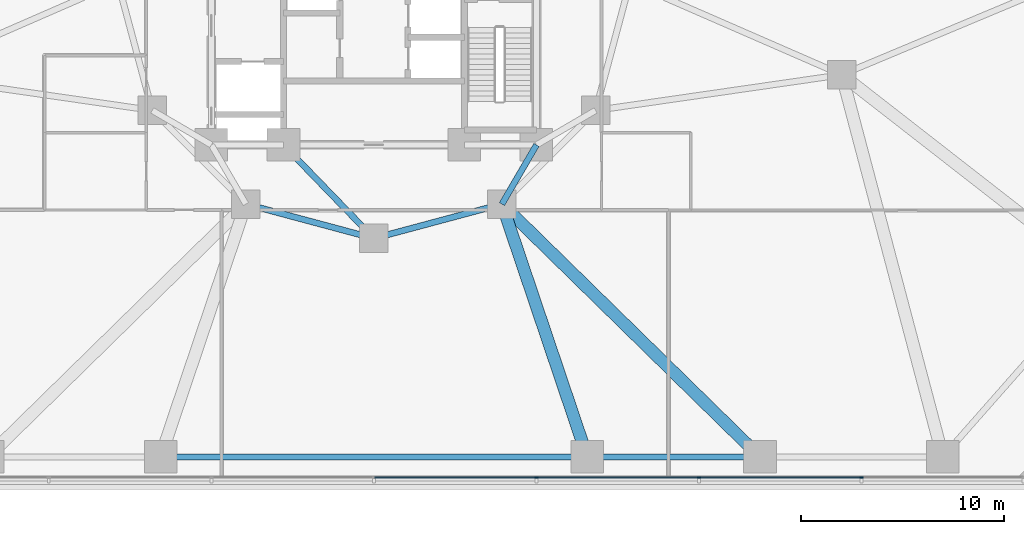
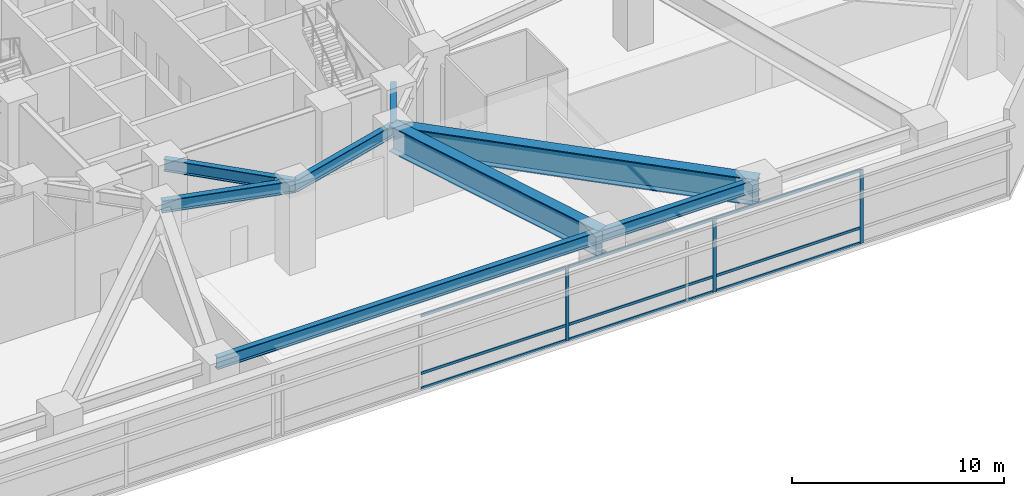
# One storey, part 7 of 27: 12 members, 8 beams, 1 element without a shape of its own.
"""IFC4 building model written with IfcOpenShell, lengths in metres."""

from ifc_helpers import new_model, si_unit, direction, frame, origin, origin_2d, place, context, subcontext, project, spatial, rectangle, i_section, extrude, material, layer, layer_set, material_profile, profile_set, type_object, element, aggregate, save


model = new_model("IFC4")

# Units and contexts
model_context = context("Model", 3, precision=1e-05, world=origin(), true_north=direction((0.0, 1.0)))
body_context = subcontext(model_context, "Body", "Model", "MODEL_VIEW")
ifc_project = project(units=[si_unit("LENGTHUNIT", "METRE"), si_unit("AREAUNIT", "SQUARE_METRE"), si_unit("VOLUMEUNIT", "CUBIC_METRE"), si_unit("PLANEANGLEUNIT", "RADIAN"), si_unit("MASSUNIT", "GRAM", prefix="KILO")], contexts=[model_context])

# Site, building, storey
site_placement = place(None, origin())
site = spatial("IfcSite", under=ifc_project, at=site_placement, CompositionType="ELEMENT")
building_placement = place(site_placement, origin())
building = spatial("IfcBuilding", under=site, at=building_placement, Name="Terralouvre Media Tower", CompositionType="ELEMENT")
storey_placement = place(building_placement, frame((0.0, 0.0, 15.60009765625)))
storey = spatial("IfcBuildingStorey", under=building, at=storey_placement, Name="L03", CompositionType="ELEMENT", Elevation=15.60009765625)

# Curtain wall, members
ifc_material_1 = material(Name="Low-iron laminated double glazing with solar-control coating", Category="glass")
ifc_layer = layer(ifc_material_1, 0.1650390625, Name="Podium Broadcast Gallery Glazing CW-01")
ifc_layer_set = layer_set([ifc_layer], Name="Low-iron laminated double glazing with solar-control coating")
curtain_wall_type = type_object("IfcCurtainWallType", Name="Podium Broadcast Gallery Glazing CW-01", PredefinedType="NOTDEFINED", material=ifc_layer_set)
curtain_wall_placement = place(storey_placement, origin())
curtain_wall = element("IfcCurtainWall", 1, at=curtain_wall_placement, inside=storey, type_object=curtain_wall_type, Name="L03 Podium Curtain Wall F0", PredefinedType="NOTDEFINED")
ifc_material_2 = material(Name="Anodised extruded aluminium 6063-T6", Category="aluminium")
ifc_material_profile_1 = material_profile(ifc_material_2, rectangle(XDim=0.074951171875, YDim=0.14990234375, at=origin_2d()), Name="ALU 75x150")
ifc_profile_set_1 = profile_set([ifc_material_profile_1], Name="Anodised extruded aluminium 6063-T6")
member_type_1 = type_object("IfcMemberType", Name="Curtain-Wall Horizontal Transom TR-150", PredefinedType="USERDEFINED", material=ifc_profile_set_1)
member_1_placement = place(storey_placement, frame((0.03759765625, -24.360107421875, 0.037353515625), z_axis=(1.0, 0.0, 0.0), x_axis=(0.0, 1.0, 0.0)))
member_1 = element("IfcMember", 2, at=member_1_placement, type_object=member_type_1, Name="CW-01 transom 5.1", ObjectType="TRANSOM", PredefinedType="USERDEFINED", context=body_context, shape_type="SweptSolid", body=[
    extrude(rectangle(XDim=0.074951171875, YDim=0.14990234375, at=origin_2d()), origin(), (0.0, 0.0, 1.0), 7.9248046875),
])
member_2_placement = place(storey_placement, frame((0.03759765625, -24.360107421875, 0.89990234375), z_axis=(1.0, 0.0, 0.0), x_axis=(0.0, 1.0, 0.0)))
member_2 = element("IfcMember", 3, at=member_2_placement, type_object=member_type_1, Name="CW-01 transom 5.2", ObjectType="TRANSOM", PredefinedType="USERDEFINED", context=body_context, shape_type="SweptSolid", body=[
    extrude(rectangle(XDim=0.074951171875, YDim=0.14990234375, at=origin_2d()), origin(), (0.0, 0.0, 1.0), 7.9248046875),
])
member_3_placement = place(storey_placement, frame((0.03759765625, -24.360107421875, 4.1923828125), z_axis=(1.0, 0.0, 0.0), x_axis=(0.0, 1.0, 0.0)))
member_3 = element("IfcMember", 4, at=member_3_placement, type_object=member_type_1, Name="CW-01 transom 5.3", ObjectType="TRANSOM", PredefinedType="USERDEFINED", context=body_context, shape_type="SweptSolid", body=[
    extrude(rectangle(XDim=0.074951171875, YDim=0.14990234375, at=origin_2d()), origin(), (0.0, 0.0, 1.0), 7.9248046875),
])
member_4_placement = place(storey_placement, frame((8.03759765625, -24.360107421875, 0.037353515625), z_axis=(1.0, 0.0, 0.0), x_axis=(0.0, 1.0, 0.0)))
member_4 = element("IfcMember", 5, at=member_4_placement, type_object=member_type_1, Name="CW-01 transom 6.1", ObjectType="TRANSOM", PredefinedType="USERDEFINED", context=body_context, shape_type="SweptSolid", body=[
    extrude(rectangle(XDim=0.074951171875, YDim=0.14990234375, at=origin_2d()), origin(), (0.0, 0.0, 1.0), 7.9248046875),
])
member_5_placement = place(storey_placement, frame((8.03759765625, -24.360107421875, 0.89990234375), z_axis=(1.0, 0.0, 0.0), x_axis=(0.0, 1.0, 0.0)))
member_5 = element("IfcMember", 6, at=member_5_placement, type_object=member_type_1, Name="CW-01 transom 6.2", ObjectType="TRANSOM", PredefinedType="USERDEFINED", context=body_context, shape_type="SweptSolid", body=[
    extrude(rectangle(XDim=0.074951171875, YDim=0.14990234375, at=origin_2d()), origin(), (0.0, 0.0, 1.0), 7.9248046875),
])
member_6_placement = place(storey_placement, frame((8.03759765625, -24.360107421875, 4.1923828125), z_axis=(1.0, 0.0, 0.0), x_axis=(0.0, 1.0, 0.0)))
member_6 = element("IfcMember", 7, at=member_6_placement, type_object=member_type_1, Name="CW-01 transom 6.3", ObjectType="TRANSOM", PredefinedType="USERDEFINED", context=body_context, shape_type="SweptSolid", body=[
    extrude(rectangle(XDim=0.074951171875, YDim=0.14990234375, at=origin_2d()), origin(), (0.0, 0.0, 1.0), 7.9248046875),
])
member_7_placement = place(storey_placement, frame((16.03759765625, -24.360107421875, 0.037353515625), z_axis=(1.0, 0.0, 0.0), x_axis=(0.0, 1.0, 0.0)))
member_7 = element("IfcMember", 8, at=member_7_placement, type_object=member_type_1, Name="CW-01 transom 7.1", ObjectType="TRANSOM", PredefinedType="USERDEFINED", context=body_context, shape_type="SweptSolid", body=[
    extrude(rectangle(XDim=0.074951171875, YDim=0.14990234375, at=origin_2d()), origin(), (0.0, 0.0, 1.0), 7.9248046875),
])
member_8_placement = place(storey_placement, frame((16.03759765625, -24.360107421875, 0.89990234375), z_axis=(1.0, 0.0, 0.0), x_axis=(0.0, 1.0, 0.0)))
member_8 = element("IfcMember", 9, at=member_8_placement, type_object=member_type_1, Name="CW-01 transom 7.2", ObjectType="TRANSOM", PredefinedType="USERDEFINED", context=body_context, shape_type="SweptSolid", body=[
    extrude(rectangle(XDim=0.074951171875, YDim=0.14990234375, at=origin_2d()), origin(), (0.0, 0.0, 1.0), 7.9248046875),
])
member_9_placement = place(storey_placement, frame((16.03759765625, -24.360107421875, 4.1923828125), z_axis=(1.0, 0.0, 0.0), x_axis=(0.0, 1.0, 0.0)))
member_9 = element("IfcMember", 10, at=member_9_placement, type_object=member_type_1, Name="CW-01 transom 7.3", ObjectType="TRANSOM", PredefinedType="USERDEFINED", context=body_context, shape_type="SweptSolid", body=[
    extrude(rectangle(XDim=0.074951171875, YDim=0.14990234375, at=origin_2d()), origin(), (0.0, 0.0, 1.0), 7.9248046875),
])
ifc_material_3 = material(Name="Anodised extruded aluminium 6063-T6", Category="aluminium")
ifc_material_profile_2 = material_profile(ifc_material_3, rectangle(XDim=0.074951171875, YDim=0.179931640625, at=origin_2d()), Name="ALU 75x180")
ifc_profile_set_2 = profile_set([ifc_material_profile_2], Name="Anodised extruded aluminium 6063-T6")
member_type_2 = type_object("IfcMemberType", Name="Curtain-Wall Vertical Mullion ML-180", PredefinedType="MULLION", material=ifc_profile_set_2)
member_10_placement = place(storey_placement, frame((8.0, -24.360107421875, 0.0), z_axis=(0.0, 0.0, 1.0), x_axis=(0.0, 1.0, 0.0)))
member_10 = element("IfcMember", 11, at=member_10_placement, type_object=member_type_2, Name="CW-01 mullion 6", PredefinedType="MULLION", context=body_context, shape_type="SweptSolid", body=[
    extrude(rectangle(XDim=0.074951171875, YDim=0.179931640625, at=origin_2d()), origin(), (0.0, 0.0, 1.0), 4.22998046875),
])
member_11_placement = place(storey_placement, frame((16.0, -24.360107421875, 0.0), z_axis=(0.0, 0.0, 1.0), x_axis=(0.0, 1.0, 0.0)))
member_11 = element("IfcMember", 12, at=member_11_placement, type_object=member_type_2, Name="CW-01 mullion 7", PredefinedType="MULLION", context=body_context, shape_type="SweptSolid", body=[
    extrude(rectangle(XDim=0.074951171875, YDim=0.179931640625, at=origin_2d()), origin(), (0.0, 0.0, 1.0), 4.22998046875),
])
member_12_placement = place(storey_placement, frame((24.0, -24.360107421875, 0.0), z_axis=(0.0, 0.0, 1.0), x_axis=(0.0, 1.0, 0.0)))
member_12 = element("IfcMember", 13, at=member_12_placement, type_object=member_type_2, Name="CW-01 mullion 8", PredefinedType="MULLION", context=body_context, shape_type="SweptSolid", body=[
    extrude(rectangle(XDim=0.074951171875, YDim=0.179931640625, at=origin_2d()), origin(), (0.0, 0.0, 1.0), 4.22998046875),
])
aggregate(curtain_wall, [member_10, member_11, member_12, member_1, member_2, member_3, member_4, member_5, member_6, member_7, member_8, member_9])

# Beams
ifc_material_4 = material(Name="Structural steel S460M", Category="steel")
ifc_material_profile_3 = material_profile(ifc_material_4, i_section(OverallWidth=0.300048828125, OverallDepth=0.699951171875, WebThickness=0.01708984375, FlangeThickness=0.031982421875, at=origin_2d()), Name="HEB 700")
ifc_profile_set_3 = profile_set([ifc_material_profile_3], Name="Structural steel S460M")
beam_type_1 = type_object("IfcBeamType", Name="Primary Floor Girder B-HEB700 (HEB 700)", PredefinedType="BEAM", material=ifc_profile_set_3)
for number, where, z_axis, x_axis, name in (
    (14, (-6.300048828125, -10.911865234375, 4.599853515625), (0.965920481897, -0.258838989821, 0.0), (0.258838989821, 0.965920481897, 0.0), "L03 Framing Beam BM-L03-MR02"),
    (15, (0.0, -12.60009765625, 4.599853515625), (0.965920481897, 0.258838989821, 0.0), (-0.258838989821, 0.965920481897, 0.0), "L03 Framing Beam BM-L03-MR03"),
):
    element("IfcBeam", number, at=place(storey_placement, frame(where, z_axis=z_axis, x_axis=x_axis)), inside=storey, type_object=beam_type_1, Name=name, PredefinedType="BEAM", context=body_context, shape_type="SweptSolid", body=[
        extrude(i_section(OverallWidth=0.300048828125, OverallDepth=0.699951171875, WebThickness=0.01708984375, FlangeThickness=0.031982421875, at=origin_2d()), origin(), (0.0, 0.0, 1.0), 6.522216796875),
    ])
beam_1_placement = place(storey_placement, frame((-4.449951171875, -8.0, 4.599853515625), z_axis=(0.695279715726, -0.718739255155, 0.0), x_axis=(0.718739255155, 0.695279715726, 0.0)))
element("IfcBeam", 16, at=beam_1_placement, inside=storey, type_object=beam_type_1, Name="L03 Framing Beam BM-L03-CM03", PredefinedType="BEAM", context=body_context, shape_type="SweptSolid", body=[
    extrude(i_section(OverallWidth=0.300048828125, OverallDepth=0.699951171875, WebThickness=0.01708984375, FlangeThickness=0.031982421875, at=origin_2d()), origin(), (0.0, 0.0, 1.0), 6.400146484375),
])
beam_2_placement = place(storey_placement, frame((8.0, -8.0, 4.599853515625), z_axis=(-0.504172629717, -0.863602894532, 0.0), x_axis=(0.863602894532, -0.504172629717, 0.0)))
element("IfcBeam", 17, at=beam_2_placement, inside=storey, type_object=beam_type_1, Name="L03 Framing Beam BM-L03-CM04", PredefinedType="BEAM", context=body_context, shape_type="SweptSolid", body=[
    extrude(i_section(OverallWidth=0.300048828125, OverallDepth=0.699951171875, WebThickness=0.01708984375, FlangeThickness=0.031982421875, at=origin_2d()), origin(), (0.0, 0.0, 1.0), 3.371826171875),
])
beam_3_placement = place(storey_placement, frame((-10.5, -23.35009765625, 4.599853515625), z_axis=(1.0, 0.0, 0.0), x_axis=(0.0, 1.0, 0.0)))
element("IfcBeam", 18, at=beam_3_placement, inside=storey, type_object=beam_type_1, Name="L03 Framing Beam BM-L03-PR04", PredefinedType="BEAM", context=body_context, shape_type="SweptSolid", body=[
    extrude(i_section(OverallWidth=0.300048828125, OverallDepth=0.699951171875, WebThickness=0.01708984375, FlangeThickness=0.031982421875, at=origin_2d()), origin(), (0.0, 0.0, 1.0), 21.0),
])
beam_4_placement = place(storey_placement, frame((10.5, -23.35009765625, 4.599853515625), z_axis=(1.0, 0.0, 0.0), x_axis=(0.0, 1.0, 0.0)))
element("IfcBeam", 19, at=beam_4_placement, inside=storey, type_object=beam_type_1, Name="L03 Framing Beam BM-L03-PR05", PredefinedType="BEAM", context=body_context, shape_type="SweptSolid", body=[
    extrude(i_section(OverallWidth=0.300048828125, OverallDepth=0.699951171875, WebThickness=0.01708984375, FlangeThickness=0.031982421875, at=origin_2d()), origin(), (0.0, 0.0, 1.0), 8.5),
])
ifc_material_5 = material(Name="Structural steel S460M", Category="steel")
ifc_material_profile_4 = material_profile(ifc_material_5, i_section(OverallWidth=0.60009765625, OverallDepth=1.5, WebThickness=0.033935546875, FlangeThickness=0.054931640625, at=origin_2d()), Name="PG 1500x600")
ifc_profile_set_4 = profile_set([ifc_material_profile_4], Name="Structural steel S460M")
beam_type_2 = type_object("IfcBeamType", Name="Primary Floor Girder B-PG1500 (PG 1500x600)", PredefinedType="BEAM", material=ifc_profile_set_4)
beam_5_placement = place(storey_placement, frame((6.300048828125, -10.911865234375, 4.199951171875), z_axis=(0.319918670086, -0.947445008711, 0.0), x_axis=(0.947445008711, 0.319918670086, 0.0)))
element("IfcBeam", 20, at=beam_5_placement, inside=storey, type_object=beam_type_2, Name="L03 Framing Beam BM-L03-RD05", PredefinedType="BEAM", context=body_context, shape_type="SweptSolid", body=[
    extrude(i_section(OverallWidth=0.60009765625, OverallDepth=1.5, WebThickness=0.033935546875, FlangeThickness=0.054931640625, at=origin_2d()), origin(), (0.0, 0.0, 1.0), 13.128173828125),
])
beam_6_placement = place(storey_placement, frame((6.300048828125, -10.911865234375, 4.199951171875), z_axis=(0.714429895313, -0.69970702775, 0.0), x_axis=(0.69970702775, 0.714429895313, 0.0)))
element("IfcBeam", 21, at=beam_6_placement, inside=storey, type_object=beam_type_2, Name="L03 Framing Beam BM-L03-RD06", PredefinedType="BEAM", context=body_context, shape_type="SweptSolid", body=[
    extrude(i_section(OverallWidth=0.60009765625, OverallDepth=1.5, WebThickness=0.033935546875, FlangeThickness=0.054931640625, at=origin_2d()), origin(), (0.0, 0.0, 1.0), 17.7763671875),
])

save(model, "model.ifc")
